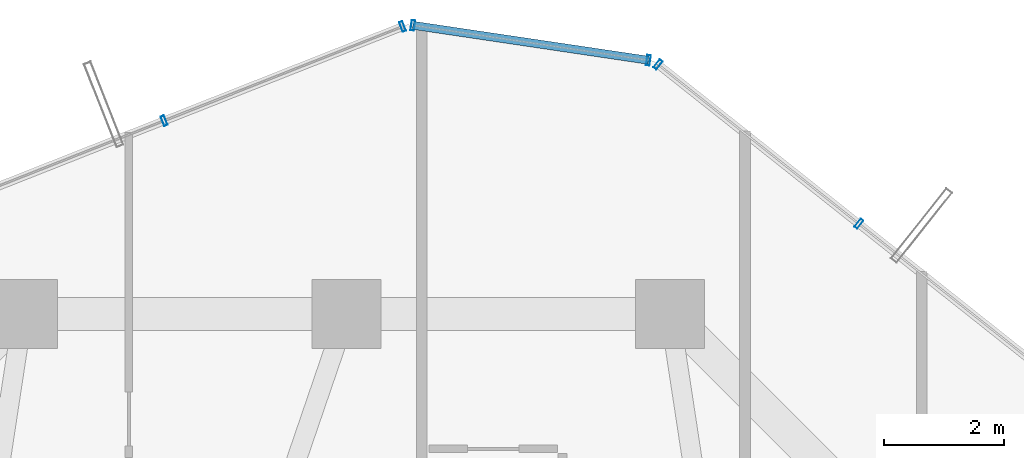
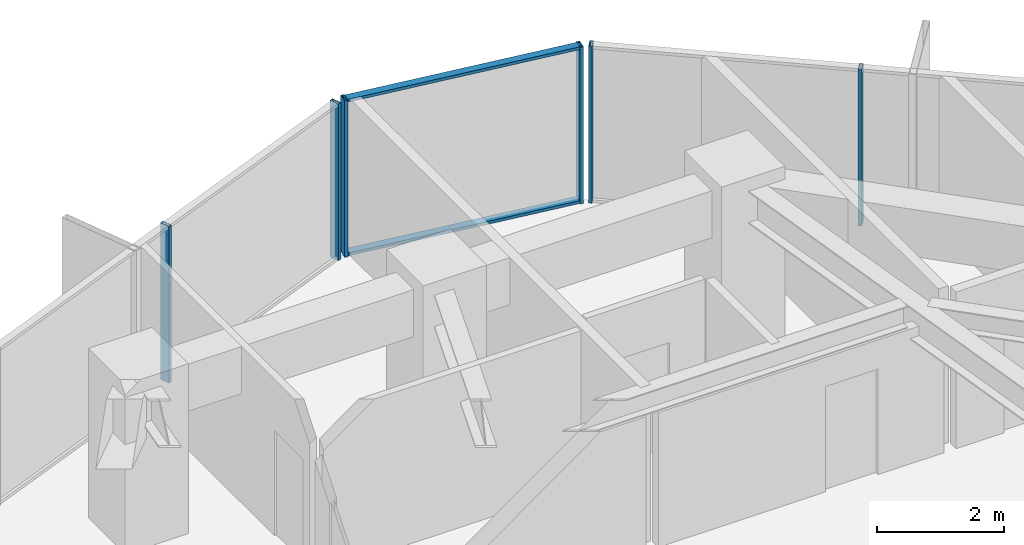
# One storey, part 21 of 29: 8 members, 3 elements without a shape of their own.
"""IFC4 building model written with IfcOpenShell, lengths in metres."""

from ifc_helpers import new_model, si_unit, direction, frame, origin, origin_2d, place, context, subcontext, project, spatial, hollow_rectangle, extrude, source, transform, mapped, material, layer, layer_set, material_profile, profile_set, type_object, element, aggregate, save


model = new_model("IFC4")

# Units and contexts
model_context = context("Model", 3, precision=1e-05, world=origin(), true_north=direction((0.0, 1.0)))
body_context = subcontext(model_context, "Body", "Model", "MODEL_VIEW")
ifc_project = project(units=[si_unit("LENGTHUNIT", "METRE"), si_unit("AREAUNIT", "SQUARE_METRE"), si_unit("VOLUMEUNIT", "CUBIC_METRE"), si_unit("PLANEANGLEUNIT", "RADIAN"), si_unit("MASSUNIT", "GRAM", prefix="KILO")], contexts=[model_context])

# Site, building, storey
site_placement = place(None, origin())
site = spatial("IfcSite", under=ifc_project, at=site_placement, CompositionType="ELEMENT")
building_placement = place(site_placement, origin())
building = spatial("IfcBuilding", under=site, at=building_placement, Name="Veraguas Prism Commons", CompositionType="ELEMENT")
storey_placement = place(building_placement, frame((0.0, 0.0, 99.199951171875)))
storey = spatial("IfcBuildingStorey", under=building, at=storey_placement, Name="L27", CompositionType="ELEMENT", Elevation=99.199951171875)

# Curtain wall, members
ifc_material = material(Name="Anodised aluminium EN AW-6063 T6", Category="aluminium")
ifc_layer = layer(ifc_material, 0.169921875, Name="Unitised Flush Curtain Wall Zone 2", Category="aluminium")
ifc_layer_set = layer_set([ifc_layer], Name="Anodised aluminium EN AW-6063 T6")
curtain_wall_type = type_object("IfcCurtainWallType", Name="Unitised Flush Curtain Wall Zone 2", PredefinedType="NOTDEFINED", material=ifc_layer_set)
curtain_wall_1_placement = place(storey_placement, origin())
curtain_wall_1 = element("IfcCurtainWall", 1, at=curtain_wall_1_placement, inside=storey, type_object=curtain_wall_type, Name="Tower Facade Curtain Wall L27-F1", PredefinedType="NOTDEFINED")
ifc_material_profile_1 = material_profile(ifc_material, hollow_rectangle(XDim=0.06005859375, YDim=0.169921875, WallThickness=0.00390625, at=origin_2d()), Name="AL60X170X4")
ifc_profile_set_1 = profile_set([ifc_material_profile_1], Name="Anodised aluminium EN AW-6063 T6")
member_type_1 = type_object("IfcMemberType", Name="Curtain Wall Mullion Lower AL 60x170x4", PredefinedType="MULLION", material=ifc_profile_set_1)
shared_shape_1 = source(origin(), body_context, "Body", "SweptSolid", [
    extrude(hollow_rectangle(XDim=0.06005859375, YDim=0.169921875, WallThickness=0.00390625, at=origin_2d()), origin(), (0.0, 0.0, 1.0), 3.0),
])
member_1_placement = place(storey_placement, frame((32.55078125, 41.703369140625, 0.0), z_axis=(0.0, 0.0, 1.0), x_axis=(-0.783260708484, 0.621693383063, 0.0)))
member_1 = element("IfcMember", 2, at=member_1_placement, type_object=member_type_1, Name="CW-Z2 Mullion 4", PredefinedType="MULLION", context=body_context, shape_type="MappedRepresentation", body=[
    mapped(shared_shape_1, transform((0.0, 0.0, 0.0), scale=1.0)),
])
member_2_placement = place(storey_placement, frame((29.19970703125, 44.363525390625, 0.0), z_axis=(0.0, 0.0, 1.0), x_axis=(-0.783260708484, 0.621693383063, 0.0)))
member_2 = element("IfcMember", 3, at=member_2_placement, type_object=member_type_1, Name="CW-Z2 Mullion 5", PredefinedType="MULLION", context=body_context, shape_type="MappedRepresentation", body=[
    mapped(shared_shape_1, transform((0.0, 0.0, 0.0), scale=1.0)),
])
aggregate(curtain_wall_1, [member_1, member_2])

curtain_wall_2_placement = place(storey_placement, origin())
curtain_wall_2 = element("IfcCurtainWall", 4, at=curtain_wall_2_placement, inside=storey, type_object=curtain_wall_type, Name="Tower Facade Curtain Wall L27-F2", PredefinedType="NOTDEFINED")
member_3_placement = place(storey_placement, frame((24.937255859375, 44.99609375, 0.0), z_axis=(0.0, 0.0, 1.0), x_axis=(-0.93003197597, -0.367478603014, 0.0)))
member_3 = element("IfcMember", 5, at=member_3_placement, type_object=member_type_1, Name="CW-Z2 Mullion 1", PredefinedType="MULLION", context=body_context, shape_type="MappedRepresentation", body=[
    mapped(shared_shape_1, transform((0.0, 0.0, 0.0), scale=1.0)),
])
member_4_placement = place(storey_placement, frame((20.9580078125, 43.423583984375, 0.0), z_axis=(0.0, 0.0, 1.0), x_axis=(-0.93003197597, -0.367478603014, 0.0)))
member_4 = element("IfcMember", 6, at=member_4_placement, type_object=member_type_1, Name="CW-Z2 Mullion 2", PredefinedType="MULLION", context=body_context, shape_type="MappedRepresentation", body=[
    mapped(shared_shape_1, transform((0.0, 0.0, 0.0), scale=1.0)),
])
aggregate(curtain_wall_2, [member_3, member_4])

curtain_wall_3_placement = place(storey_placement, origin())
curtain_wall_3 = element("IfcCurtainWall", 7, at=curtain_wall_3_placement, inside=storey, type_object=curtain_wall_type, Name="Chamfer Curtain Wall L27-C2", PredefinedType="NOTDEFINED")
member_5_placement = place(storey_placement, frame((29.0400390625, 44.4326171875, 0.0), z_axis=(0.0, 0.0, 1.0), x_axis=(-0.989167801062, 0.146789173113, 0.0)))
member_5 = element("IfcMember", 8, at=member_5_placement, type_object=member_type_1, Name="CW-Z2 Mullion 1", PredefinedType="MULLION", context=body_context, shape_type="MappedRepresentation", body=[
    mapped(shared_shape_1, transform((0.0, 0.0, 0.0), scale=1.0)),
])
member_6_placement = place(storey_placement, frame((25.110107421875, 45.015869140625, 0.0), z_axis=(0.0, 0.0, 1.0), x_axis=(-0.989167801062, 0.146789173113, 0.0)))
member_6 = element("IfcMember", 9, at=member_6_placement, type_object=member_type_1, Name="CW-Z2 Mullion 2", PredefinedType="MULLION", context=body_context, shape_type="MappedRepresentation", body=[
    mapped(shared_shape_1, transform((0.0, 0.0, 0.0), scale=1.0)),
])
ifc_material_profile_2 = material_profile(ifc_material, hollow_rectangle(XDim=0.054931640625, YDim=0.135009765625, WallThickness=0.0029296875, at=origin_2d()), Name="AL55X135X3")
ifc_profile_set_2 = profile_set([ifc_material_profile_2], Name="Anodised aluminium EN AW-6063 T6")
member_type_2 = type_object("IfcMemberType", Name="Curtain Wall Transom Standard AL 55x135x3", PredefinedType="USERDEFINED", material=ifc_profile_set_2)
shared_shape_2 = source(origin(), body_context, "Body", "SweptSolid", [
    extrude(hollow_rectangle(XDim=0.054931640625, YDim=0.135009765625, WallThickness=0.0029296875, at=origin_2d()), origin(), (0.0, 0.0, 1.0), 3.972900390625),
])
member_7_placement = place(storey_placement, frame((29.0400390625, 44.4326171875, 0.027587890625), z_axis=(-0.989165486732, 0.146804767833, 0.0), x_axis=(0.0, 0.0, 1.0)))
member_7 = element("IfcMember", 10, at=member_7_placement, type_object=member_type_2, Name="CW-Z2 Transom 1", ObjectType="TRANSOM", PredefinedType="USERDEFINED", context=body_context, shape_type="MappedRepresentation", body=[
    mapped(shared_shape_2, transform((0.0, 0.0, 0.0), scale=1.0)),
])
member_8_placement = place(storey_placement, frame((29.0400390625, 44.4326171875, 2.97265625), z_axis=(-0.989165486732, 0.146804767833, 0.0), x_axis=(0.0, 0.0, 1.0)))
member_8 = element("IfcMember", 11, at=member_8_placement, type_object=member_type_2, Name="CW-Z2 Transom 2", ObjectType="TRANSOM", PredefinedType="USERDEFINED", context=body_context, shape_type="MappedRepresentation", body=[
    mapped(shared_shape_2, transform((0.0, 0.0, 0.0), scale=1.0)),
])
aggregate(curtain_wall_3, [member_5, member_6, member_7, member_8])

save(model, "model.ifc")
